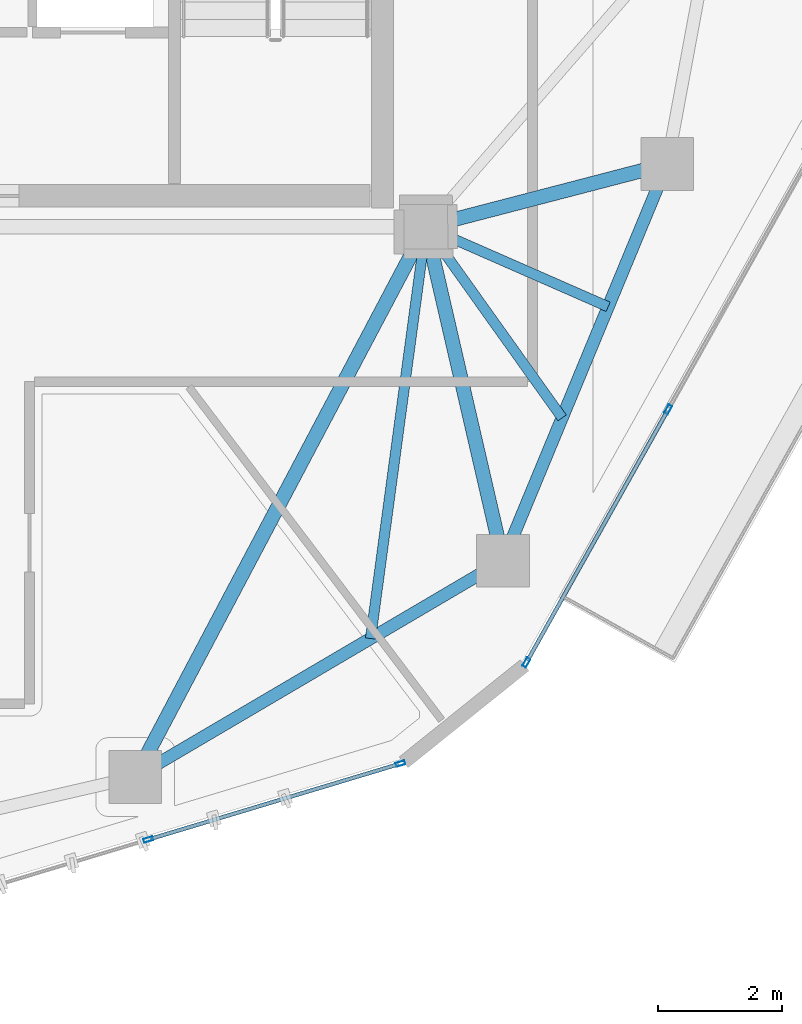
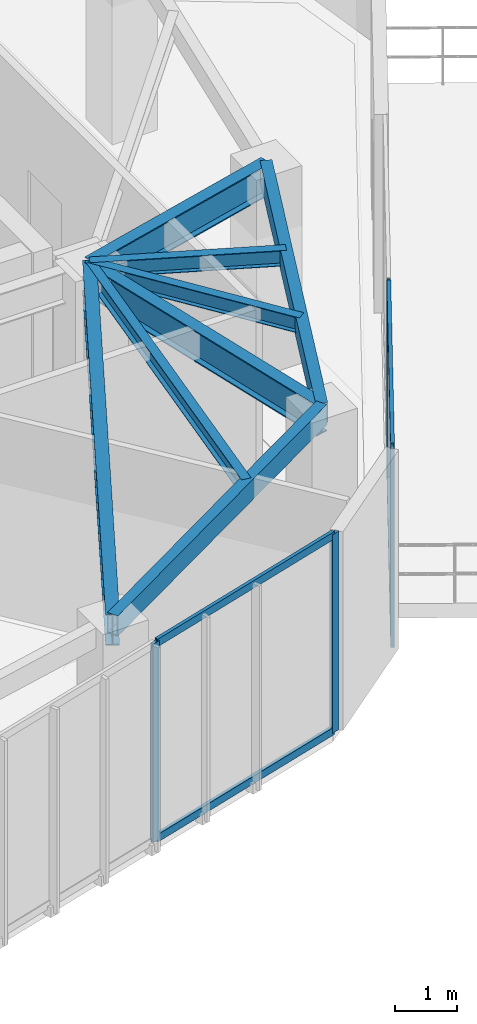
# One storey, part 6 of 20: 8 beams, 8 members, 2 elements without a shape of their own.
"""IFC4 building model written with IfcOpenShell, lengths in metres."""

from ifc_helpers import new_model, si_unit, direction, frame, origin, origin_2d, place, context, subcontext, project, spatial, hollow_rectangle, i_section, extrude, source, transform, mapped, material, layer, layer_set, material_profile, profile_set, type_object, type_shapes, element, aggregate, save


model = new_model("IFC4")

# Units and contexts
model_context = context("Model", 3, precision=1e-05, world=origin(), true_north=direction((0.0, 1.0)))
body_context = subcontext(model_context, "Body", "Model", "MODEL_VIEW")
ifc_project = project(units=[si_unit("LENGTHUNIT", "METRE"), si_unit("AREAUNIT", "SQUARE_METRE"), si_unit("VOLUMEUNIT", "CUBIC_METRE"), si_unit("PLANEANGLEUNIT", "RADIAN"), si_unit("MASSUNIT", "GRAM", prefix="KILO")], contexts=[model_context])

# Site, building, storey
site_placement = place(None, origin())
site = spatial("IfcSite", under=ifc_project, at=site_placement, CompositionType="ELEMENT")
building_placement = place(site_placement, origin())
building = spatial("IfcBuilding", under=site, at=building_placement, Name="Talar Marvaseh", CompositionType="ELEMENT")
storey_placement = place(building_placement, frame((0.0, 0.0, 291.800048828125)))
storey = spatial("IfcBuildingStorey", under=building, at=storey_placement, Name="L78", CompositionType="ELEMENT", Elevation=291.800048828125)

# Beams
ifc_material_1 = material(Name="Steel S355", Category="steel")
ifc_material_profile_1 = material_profile(ifc_material_1, hollow_rectangle(XDim=0.199951171875, YDim=0.39990234375, WallThickness=0.013916015625, at=origin_2d()), Name="RHS400x200x14")
ifc_profile_set_1 = profile_set([ifc_material_profile_1], Name="Steel S355")
beam_type_1 = type_object("IfcBeamType", Name="Zone 3 Perimeter Spandrel Beam RHS400x200x14", PredefinedType="SPANDREL", material=ifc_profile_set_1)
beam_1_placement = place(storey_placement, frame((37.197021484375, 26.513916015625, 3.739990234375), z_axis=(-0.382798740112, -0.923831762048, 0.0), x_axis=(0.923831762048, -0.382798740112, 0.0)))
element("IfcBeam", 1, at=beam_1_placement, inside=storey, type_object=beam_type_1, Name="L78 Zone 3 Perimeter Spandrel Beam RHS400x200x14", PredefinedType="SPANDREL", context=body_context, shape_type="SweptSolid", body=[
    extrude(hollow_rectangle(XDim=0.199951171875, YDim=0.39990234375, WallThickness=0.013916015625, at=origin_2d()), origin(), (0.0, 0.0, 1.0), 6.9306640625),
])
beam_2_placement = place(storey_placement, frame((34.5439453125, 20.111083984375, 3.739990234375), z_axis=(-0.861894136287, -0.507088254482, 0.0), x_axis=(0.507088254482, -0.861894136287, 0.0)))
element("IfcBeam", 2, at=beam_2_placement, inside=storey, type_object=beam_type_1, Name="L78 Zone 3 Perimeter Spandrel Beam RHS400x200x14", PredefinedType="SPANDREL", context=body_context, shape_type="SweptSolid", body=[
    extrude(hollow_rectangle(XDim=0.199951171875, YDim=0.39990234375, WallThickness=0.013916015625, at=origin_2d()), origin(), (0.0, 0.0, 1.0), 6.890625),
])
ifc_material_profile_2 = material_profile(ifc_material_1, i_section(OverallWidth=0.166015625, OverallDepth=0.31298828125, WebThickness=0.006591796875, FlangeThickness=0.01123046875, at=origin_2d()), Name="W310x45")
ifc_profile_set_2 = profile_set([ifc_material_profile_2], Name="Steel S355")
beam_type_2 = type_object("IfcBeamType", Name="Zone 3 Secondary Floor Joist W310x45", PredefinedType="JOIST", material=ifc_profile_set_2)
beam_3_placement = place(storey_placement, frame((36.241943359375, 24.208984375, 3.783447265625), z_axis=(-0.915706783714, 0.401847093135, 0.0), x_axis=(-0.401847093135, -0.915706783714, 0.0)))
element("IfcBeam", 3, at=beam_3_placement, inside=storey, type_object=beam_type_2, Name="L78 Zone 3 Secondary Floor Joist W310x45", PredefinedType="JOIST", context=body_context, shape_type="SweptSolid", body=[
    extrude(i_section(OverallWidth=0.166015625, OverallDepth=0.31298828125, WebThickness=0.006591796875, FlangeThickness=0.01123046875, at=origin_2d()), origin(), (0.0, 0.0, 1.0), 3.212646484375),
])
beam_4_placement = place(storey_placement, frame((35.4990234375, 22.416015625, 3.783447265625), z_axis=(-0.580561197682, 0.814216614757, 0.0), x_axis=(-0.814216614757, -0.580561197682, 0.0)))
element("IfcBeam", 4, at=beam_4_placement, inside=storey, type_object=beam_type_2, Name="L78 Zone 3 Secondary Floor Joist W310x45", PredefinedType="JOIST", context=body_context, shape_type="SweptSolid", body=[
    extrude(i_section(OverallWidth=0.166015625, OverallDepth=0.31298828125, WebThickness=0.006591796875, FlangeThickness=0.01123046875, at=origin_2d()), origin(), (0.0, 0.0, 1.0), 3.78759765625),
])
beam_5_placement = place(storey_placement, frame((32.406005859375, 18.853271484375, 3.783447265625), z_axis=(0.133308183872, 0.991074632968, 0.0), x_axis=(-0.991074632968, 0.133308183872, 0.0)))
element("IfcBeam", 5, at=beam_5_placement, inside=storey, type_object=beam_type_2, Name="L78 Zone 3 Secondary Floor Joist W310x45", PredefinedType="JOIST", context=body_context, shape_type="SweptSolid", body=[
    extrude(i_section(OverallWidth=0.166015625, OverallDepth=0.31298828125, WebThickness=0.006591796875, FlangeThickness=0.01123046875, at=origin_2d()), origin(), (0.0, 0.0, 1.0), 6.70654296875),
])
ifc_material_profile_3 = material_profile(ifc_material_1, i_section(OverallWidth=0.22998046875, OverallDepth=0.616943359375, WebThickness=0.01318359375, FlangeThickness=0.022216796875, at=origin_2d()), Name="W610x140")
ifc_profile_set_3 = profile_set([ifc_material_profile_3], Name="Steel S355")
beam_type_3 = type_object("IfcBeamType", Name="Zone 4 Radial Floor Girder W610x140", PredefinedType="BEAM", material=ifc_profile_set_3)
beam_6_placement = place(storey_placement, frame((37.197021484375, 26.513916015625, 3.63134765625), z_axis=(-0.967779967746, -0.251797406719, 0.0), x_axis=(0.251797406719, -0.967779967746, 0.0)))
element("IfcBeam", 6, at=beam_6_placement, inside=storey, type_object=beam_type_3, Name="L78 Zone 4 Radial Floor Girder W610x140", PredefinedType="BEAM", context=body_context, shape_type="SweptSolid", body=[
    extrude(i_section(OverallWidth=0.22998046875, OverallDepth=0.616943359375, WebThickness=0.01318359375, FlangeThickness=0.022216796875, at=origin_2d()), origin(), (0.0, 0.0, 1.0), 4.026611328125),
])
beam_7_placement = place(storey_placement, frame((34.5439453125, 20.111083984375, 3.63134765625), z_axis=(-0.22491108979, 0.974379290466, 0.0), x_axis=(-0.974379290466, -0.22491108979, 0.0)))
element("IfcBeam", 7, at=beam_7_placement, inside=storey, type_object=beam_type_3, Name="L78 Zone 4 Radial Floor Girder W610x140", PredefinedType="BEAM", context=body_context, shape_type="SweptSolid", body=[
    extrude(i_section(OverallWidth=0.22998046875, OverallDepth=0.616943359375, WebThickness=0.01318359375, FlangeThickness=0.022216796875, at=origin_2d()), origin(), (0.0, 0.0, 1.0), 5.530517578125),
])
beam_8_placement = place(storey_placement, frame((28.60498046875, 16.616943359375, 3.63134765625), z_axis=(0.467286976471, 0.884105695955, 0.0), x_axis=(-0.884105695955, 0.467286976471, 0.0)))
element("IfcBeam", 8, at=beam_8_placement, inside=storey, type_object=beam_type_3, Name="L78 Zone 4 Radial Floor Girder W610x140", PredefinedType="BEAM", context=body_context, shape_type="SweptSolid", body=[
    extrude(i_section(OverallWidth=0.22998046875, OverallDepth=0.616943359375, WebThickness=0.01318359375, FlangeThickness=0.022216796875, at=origin_2d()), origin(), (0.0, 0.0, 1.0), 10.047607421875),
])

# Curtain wall, members
ifc_material_2 = material(Name="Architectural Aluminium", Category="aluminium")
ifc_layer = layer(ifc_material_2, 0.239990234375)
ifc_layer_set = layer_set([ifc_layer], Name="Architectural Aluminium")
curtain_wall_type = type_object("IfcCurtainWallType", Name="Observation Sky Gallery Structural Glass Wall", PredefinedType="NOTDEFINED", material=ifc_layer_set)
curtain_wall_1_placement = place(storey_placement, origin())
curtain_wall_1 = element("IfcCurtainWall", 9, at=curtain_wall_1_placement, inside=storey, type_object=curtain_wall_type, Name="L78 Observation Sky Gallery Structural Glass Wall", PredefinedType="NOTDEFINED")
ifc_material_profile_4 = material_profile(ifc_material_2, hollow_rectangle(XDim=0.06494140625, YDim=0.14990234375, WallThickness=0.00390625, at=origin_2d()), Name="RHS150x65x4")
ifc_profile_set_4 = profile_set([ifc_material_profile_4], Name="Architectural Aluminium")
member_type_1 = type_object("IfcMemberType", Name="Unitised Curtain Wall Slim Transom RHS150x65x4", PredefinedType="USERDEFINED", material=ifc_profile_set_4)
shared_shape_1 = source(origin(), body_context, "Body", "SweptSolid", [
    extrude(hollow_rectangle(XDim=0.06494140625, YDim=0.14990234375, WallThickness=0.00390625, at=origin_2d()), origin(), (0.0, 0.0, 1.0), 4.188720703125),
])
member_1_placement = place(storey_placement, frame((32.857666015625, 16.82421875, 0.032470703125), z_axis=(-0.957527385725, -0.288342340953, 0.0), x_axis=(0.288342340953, -0.957527385725, 0.0)))
member_1 = element("IfcMember", 10, at=member_1_placement, type_object=member_type_1, Name="CW-OBS transom 1.1", ObjectType="TRANSOM", PredefinedType="USERDEFINED", context=body_context, shape_type="MappedRepresentation", body=[
    mapped(shared_shape_1, transform((0.0, 0.0, 0.0), x_axis=(1.0, 0.0, 0.0), y_axis=(0.0, 1.0, 0.0), z_axis=(0.0, 0.0, 1.0), scale=1.0)),
])
member_2_placement = place(storey_placement, frame((32.857666015625, 16.82421875, 3.907470703125), z_axis=(-0.957527385725, -0.288342340953, 0.0), x_axis=(0.288342340953, -0.957527385725, 0.0)))
member_2 = element("IfcMember", 11, at=member_2_placement, type_object=member_type_1, Name="CW-OBS transom 1.2", ObjectType="TRANSOM", PredefinedType="USERDEFINED", context=body_context, shape_type="MappedRepresentation", body=[
    mapped(shared_shape_1, transform((0.0, 0.0, 0.0), x_axis=(1.0, 0.0, 0.0), y_axis=(0.0, 1.0, 0.0), z_axis=(0.0, 0.0, 1.0), scale=1.0)),
])

curtain_wall_2_placement = place(storey_placement, origin())
curtain_wall_2 = element("IfcCurtainWall", 12, at=curtain_wall_2_placement, inside=storey, type_object=curtain_wall_type, Name="L78 Observation Sky Gallery Structural Glass Wall", PredefinedType="NOTDEFINED")
ifc_material_profile_5 = material_profile(ifc_material_2, hollow_rectangle(XDim=0.06494140625, YDim=0.14990234375, WallThickness=0.00390625, at=origin_2d()), Name="RHS150x65x4")
ifc_profile_set_5 = profile_set([ifc_material_profile_5], Name="Architectural Aluminium")
member_type_2 = type_object("IfcMemberType", Name="Unitised Curtain Wall Slim Mullion RHS150x65x4", PredefinedType="MULLION", material=ifc_profile_set_5)
shared_shape_2 = source(origin(), body_context, "Body", "SweptSolid", [
    extrude(hollow_rectangle(XDim=0.06494140625, YDim=0.14990234375, WallThickness=0.00390625, at=origin_2d()), origin(), (0.0, 0.0, 1.0), 3.93994140625),
])
type_shapes(member_type_2, [shared_shape_2])
member_3_placement = place(storey_placement, frame((37.2109375, 22.55078125, 0.0), z_axis=(0.0, 0.0, 1.0), x_axis=(0.872422456742, -0.488752551883, 0.0)))
member_3 = element("IfcMember", 13, at=member_3_placement, type_object=member_type_2, Name="CW-OBS mullion 2", PredefinedType="MULLION", context=body_context, shape_type="MappedRepresentation", body=[
    mapped(shared_shape_2, transform((0.0, 0.0, 0.0), x_axis=(1.0, 0.0, 0.0), y_axis=(0.0, 1.0, 0.0), z_axis=(0.0, 0.0, 1.0), scale=1.0)),
])
member_4_placement = place(storey_placement, frame((34.92236328125, 18.4658203125, 0.0), z_axis=(0.0, 0.0, 1.0), x_axis=(0.872422456742, -0.488752551883, 0.0)))
member_4 = element("IfcMember", 14, at=member_4_placement, type_object=member_type_2, Name="CW-OBS mullion 3", PredefinedType="MULLION", context=body_context, shape_type="MappedRepresentation", body=[
    mapped(shared_shape_2, transform((0.0, 0.0, 0.0), x_axis=(1.0, 0.0, 0.0), y_axis=(0.0, 1.0, 0.0), z_axis=(0.0, 0.0, 1.0), scale=1.0)),
])

# Member
member_5_placement = place(storey_placement, frame((32.888916015625, 16.83349609375, 0.0), z_axis=(0.0, 0.0, 1.0), x_axis=(0.288346227677, -0.957526215299, 0.0)))
member_5 = element("IfcMember", 15, at=member_5_placement, type_object=member_type_2, Name="CW-OBS mullion 1", PredefinedType="MULLION", context=body_context, shape_type="MappedRepresentation", body=[
    mapped(shared_shape_2, transform((0.0, 0.0, 0.0), x_axis=(1.0, 0.0, 0.0), y_axis=(0.0, 1.0, 0.0), z_axis=(0.0, 0.0, 1.0), scale=1.0)),
])

member_6_placement = place(storey_placement, frame((28.81591796875, 15.60693359375, 0.0), z_axis=(0.0, 0.0, 1.0), x_axis=(0.288346227677, -0.957526215299, 0.0)))
member_6 = element("IfcMember", 16, at=member_6_placement, type_object=member_type_2, Name="CW-OBS mullion 2", PredefinedType="MULLION", context=body_context, shape_type="MappedRepresentation", body=[
    mapped(shared_shape_2, transform((0.0, 0.0, 0.0), x_axis=(1.0, 0.0, 0.0), y_axis=(0.0, 1.0, 0.0), z_axis=(0.0, 0.0, 1.0), scale=1.0)),
])

aggregate(curtain_wall_1, [member_5, member_6, member_1, member_2])

shared_shape_3 = source(origin(), body_context, "Body", "SweptSolid", [
    extrude(hollow_rectangle(XDim=0.06494140625, YDim=0.14990234375, WallThickness=0.00390625, at=origin_2d()), origin(), (0.0, 0.0, 1.0), 4.617431640625),
])
type_shapes(member_type_1, [shared_shape_1, shared_shape_3])
member_7_placement = place(storey_placement, frame((37.195068359375, 22.5224609375, 0.032470703125), z_axis=(-0.488724120313, -0.8724383842, 0.0), x_axis=(0.8724383842, -0.488724120313, 0.0)))
member_7 = element("IfcMember", 17, at=member_7_placement, type_object=member_type_1, Name="CW-OBS transom 2.1", ObjectType="TRANSOM", PredefinedType="USERDEFINED", context=body_context, shape_type="MappedRepresentation", body=[
    mapped(shared_shape_3, transform((0.0, 0.0, 0.0), x_axis=(1.0, 0.0, 0.0), y_axis=(0.0, 1.0, 0.0), z_axis=(0.0, 0.0, 1.0), scale=1.0)),
])

member_8_placement = place(storey_placement, frame((37.195068359375, 22.5224609375, 3.907470703125), z_axis=(-0.488724120313, -0.8724383842, 0.0), x_axis=(0.8724383842, -0.488724120313, 0.0)))
member_8 = element("IfcMember", 18, at=member_8_placement, type_object=member_type_1, Name="CW-OBS transom 2.2", ObjectType="TRANSOM", PredefinedType="USERDEFINED", context=body_context, shape_type="MappedRepresentation", body=[
    mapped(shared_shape_3, transform((0.0, 0.0, 0.0), x_axis=(1.0, 0.0, 0.0), y_axis=(0.0, 1.0, 0.0), z_axis=(0.0, 0.0, 1.0), scale=1.0)),
])

aggregate(curtain_wall_2, [member_3, member_4, member_7, member_8])

save(model, "model.ifc")
